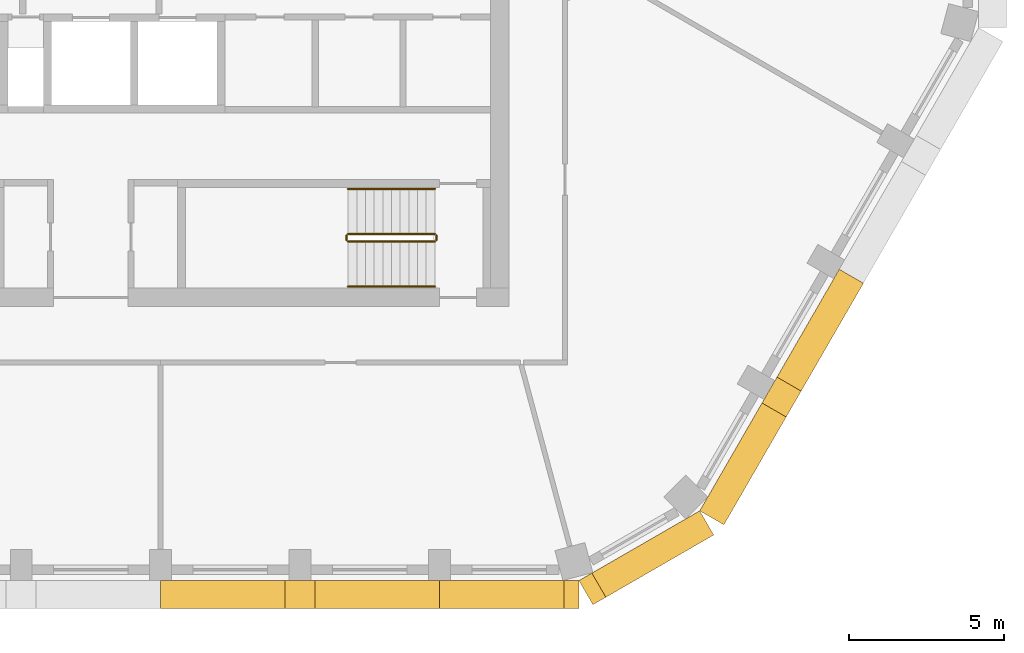
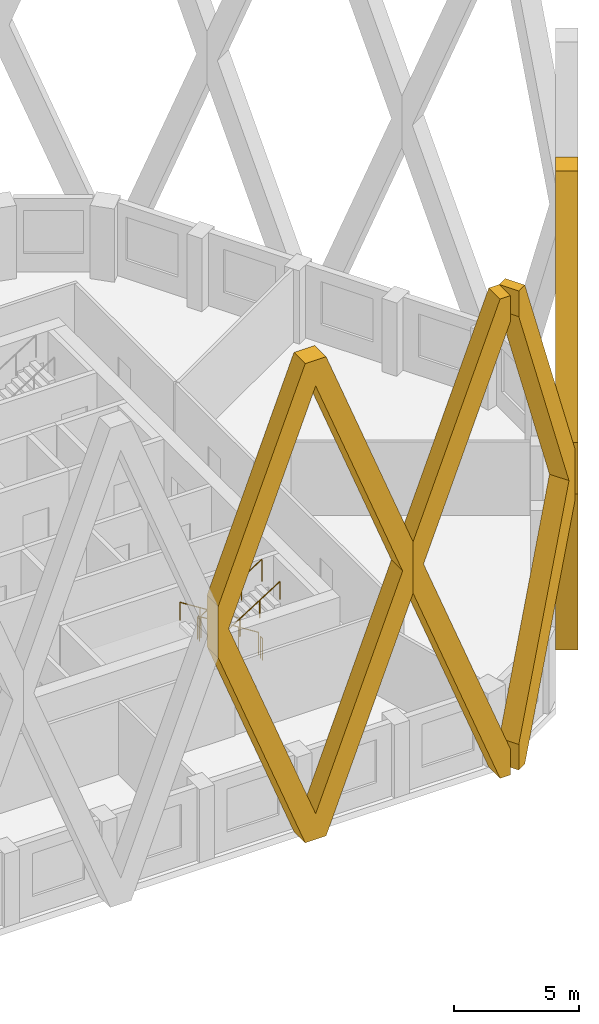
# One storey, part 10 of 13: 6 railings, 4 coverings.
"""IFC4 building model written with IfcOpenShell, lengths in metres."""

from ifc_helpers import new_model, si_unit, direction, frame, origin, origin_2d, place, context, subcontext, project, spatial, polyline, circle, outline, extrude, material, type_object, element, save


model = new_model("IFC4")

# Units and contexts
model_context = context("Model", 3, precision=1e-05, world=origin(), true_north=direction((0.0, 1.0)))
body_context = subcontext(model_context, "Body", "Model", "MODEL_VIEW")
ifc_project = project(units=[si_unit("LENGTHUNIT", "METRE"), si_unit("AREAUNIT", "SQUARE_METRE"), si_unit("VOLUMEUNIT", "CUBIC_METRE"), si_unit("PLANEANGLEUNIT", "RADIAN"), si_unit("MASSUNIT", "GRAM", prefix="KILO")], contexts=[model_context])

# Site, building, storey
site_placement = place(None, origin())
site = spatial("IfcSite", under=ifc_project, at=site_placement, CompositionType="ELEMENT")
building_placement = place(site_placement, origin())
building = spatial("IfcBuilding", under=site, at=building_placement, Name="Dhurran Vertical Campus", CompositionType="ELEMENT")
storey_placement = place(building_placement, frame((0.0, 0.0, 258.60009765625)))
storey = spatial("IfcBuildingStorey", under=building, at=storey_placement, Name="L64", CompositionType="ELEMENT", Elevation=258.60009765625)

# Coverings
ifc_material_1 = material(Name="Precast concrete C50/60", Category="concrete")
covering_type = type_object("IfcCoveringType", Name="Folded precast fin lattice diamond", PredefinedType="USERDEFINED", material=ifc_material_1)
covering_1_placement = place(storey_placement, frame((2.25, -20.08837890625, 0.0), z_axis=(0.0, -1.0, 0.0), x_axis=(1.0, 0.0, 0.0)))
element("IfcCovering", 1, at=covering_1_placement, inside=storey, type_object=covering_type, Name="FN1 L64.003", ObjectType="FIN", PredefinedType="USERDEFINED", context=body_context, shape_type="SweptSolid", body=[
    extrude(outline(polyline([(9.0, 12.95361328125), (9.0, 10.4462890625), (4.982177734375, 0.0), (4.017822265625, 0.0), (0.0, 10.4462890625), (0.0, 12.95361328125), (4.017822265625, 23.39990234375), (4.982177734375, 23.39990234375), (9.0, 12.95361328125)]), holes=[polyline([(8.517822265625, 11.699951171875), (4.5, 22.146484375), (0.482177734375, 11.699951171875), (4.5, 1.253662109375), (8.517822265625, 11.699951171875)])]), origin(), (0.0, 0.0, 1.0), 0.900146484375),
])
covering_2_placement = place(storey_placement, frame((11.25, -20.08837890625, 0.0), z_axis=(0.0, -1.0, 0.0), x_axis=(1.0, 0.0, 0.0)))
element("IfcCovering", 2, at=covering_2_placement, inside=storey, type_object=covering_type, Name="FN1 L64.004", ObjectType="FIN", PredefinedType="USERDEFINED", context=body_context, shape_type="SweptSolid", body=[
    extrude(outline(polyline([(4.017822265625, 0.0), (0.0, 10.4462890625), (0.0, 12.95361328125), (4.017822265625, 23.39990234375), (4.5, 23.39990234375), (4.5, 22.146484375), (0.482177734375, 11.699951171875), (4.5, 1.253662109375), (4.5, 0.0), (4.017822265625, 0.0)])), origin(), (0.0, 0.0, 1.0), 0.900146484375),
])
covering_3_placement = place(storey_placement, frame((15.75, -20.08837890625, 0.0), z_axis=(0.499902469156, -0.866081705922, 0.0), x_axis=(0.866081705922, 0.499902469156, 0.0)))
element("IfcCovering", 3, at=covering_3_placement, inside=storey, type_object=covering_type, Name="FN1 L64.005", ObjectType="FIN", PredefinedType="USERDEFINED", context=body_context, shape_type="SweptSolid", body=[
    extrude(outline(polyline([(4.5, 10.4462890625), (0.482177734375, 0.0), (0.0, 0.0), (0.0, 1.253662109375), (4.017822265625, 11.699951171875), (0.0, 22.146484375), (0.0, 23.39990234375), (0.482177734375, 23.39990234375), (4.5, 12.95361328125), (4.5, 10.4462890625)])), origin(), (0.0, 0.0, 1.0), 0.900146484375),
])
covering_4_placement = place(storey_placement, frame((19.647216796875, -17.83837890625, 0.0), z_axis=(0.865896406789, -0.500223362819, 0.0), x_axis=(0.500223362819, 0.865896406789, 0.0)))
element("IfcCovering", 4, at=covering_4_placement, inside=storey, type_object=covering_type, Name="FN1 L64.006", ObjectType="FIN", PredefinedType="USERDEFINED", context=body_context, shape_type="SweptSolid", body=[
    extrude(outline(polyline([(9.0, 12.95361328125), (9.0, 10.4462890625), (4.982177734375, 0.0), (4.017822265625, 0.0), (0.0, 10.4462890625), (0.0, 12.95361328125), (4.017822265625, 23.39990234375), (4.982177734375, 23.39990234375), (9.0, 12.95361328125)]), holes=[polyline([(8.517822265625, 11.699951171875), (4.5, 22.146484375), (0.482177734375, 11.699951171875), (4.5, 1.253662109375), (8.517822265625, 11.699951171875)])]), origin(), (0.0, 0.0, 1.0), 0.89990234375),
])

# Railings
ifc_material_2 = material(Name="Stainless steel balustrade", Category="steel")
railing_type_1 = type_object("IfcRailingType", Name="co-RL-GUARD-1100", PredefinedType="GUARDRAIL", material=ifc_material_2)
railing_1_placement = place(storey_placement, frame((11.10009765625, -8.89990234375, 0.17724609375)))
element("IfcRailing", 5, at=railing_1_placement, inside=storey, type_object=railing_type_1, Name="L64 ST4 stair guard 1", PredefinedType="GUARDRAIL", context=body_context, shape_type="SweptSolid", body=[
    extrude(circle(Radius=0.02392578125, at=origin_2d()), frame((0.0, 0.0, 1.076171875), z_axis=(-0.844908973607, 0.0, 0.534910110503), x_axis=(0.0, -1.0, 0.0)), (0.0, 0.0, 1.0), 3.31396484375),
    extrude(circle(Radius=0.02099609375, at=origin_2d()), origin(), (0.0, 0.0, 1.0), 1.052001953125),
    extrude(circle(Radius=0.02099609375, at=origin_2d()), frame((-0.933349609375, 0.0, 0.5908203125)), (0.0, 0.0, 1.0), 1.052001953125),
    extrude(circle(Radius=0.02099609375, at=origin_2d()), frame((-1.86669921875, 0.0, 1.181884765625)), (0.0, 0.0, 1.0), 1.052001953125),
    extrude(circle(Radius=0.02099609375, at=origin_2d()), frame((-2.800048828125, 0.0, 1.772705078125)), (0.0, 0.0, 1.0), 1.052001953125),
])
railing_2_placement = place(storey_placement, frame((8.25, -8.949951171875, 1.949951171875)))
element("IfcRailing", 6, at=railing_2_placement, inside=storey, type_object=railing_type_1, Name="L64 ST4 stair guard 2", PredefinedType="GUARDRAIL", context=body_context, shape_type="SweptSolid", body=[
    extrude(circle(Radius=0.02392578125, at=origin_2d()), frame((0.0, 0.0, 1.076171875), z_axis=(0.0, -1.0, 0.0), x_axis=(1.0, 0.0, 0.0)), (0.0, 0.0, 1.0), 0.150146484375),
    extrude(circle(Radius=0.02099609375, at=origin_2d()), origin(), (0.0, 0.0, 1.0), 1.052001953125),
    extrude(circle(Radius=0.02099609375, at=origin_2d()), frame((0.0, -0.150146484375, 0.0)), (0.0, 0.0, 1.0), 1.052001953125),
])
railing_3_placement = place(storey_placement, frame((8.300048828125, -9.14990234375, 2.127197265625)))
element("IfcRailing", 7, at=railing_3_placement, inside=storey, type_object=railing_type_1, Name="L64 ST4 stair guard 3", PredefinedType="GUARDRAIL", context=body_context, shape_type="SweptSolid", body=[
    extrude(circle(Radius=0.02392578125, at=origin_2d()), frame((0.0, 0.0, 1.076171875), z_axis=(0.844908973607, 0.0, 0.534910110503), x_axis=(0.0, 1.0, 0.0)), (0.0, 0.0, 1.0), 3.31396484375),
    extrude(circle(Radius=0.02099609375, at=origin_2d()), origin(), (0.0, 0.0, 1.0), 1.052001953125),
    extrude(circle(Radius=0.02099609375, at=origin_2d()), frame((0.933349609375, 0.0, 0.5908203125)), (0.0, 0.0, 1.0), 1.052001953125),
    extrude(circle(Radius=0.02099609375, at=origin_2d()), frame((1.86669921875, 0.0, 1.181884765625)), (0.0, 0.0, 1.0), 1.052001953125),
    extrude(circle(Radius=0.02099609375, at=origin_2d()), frame((2.800048828125, 0.0, 1.772705078125)), (0.0, 0.0, 1.0), 1.052001953125),
])
railing_4_placement = place(storey_placement, frame((11.14990234375, -8.949951171875, 0.0)))
element("IfcRailing", 8, at=railing_4_placement, inside=storey, type_object=railing_type_1, Name="L64 ST4 stair guard 4", PredefinedType="GUARDRAIL", context=body_context, shape_type="SweptSolid", body=[
    extrude(circle(Radius=0.02392578125, at=origin_2d()), frame((0.0, 0.0, 1.076171875), z_axis=(0.0, -1.0, 0.0), x_axis=(1.0, 0.0, 0.0)), (0.0, 0.0, 1.0), 0.150146484375),
    extrude(circle(Radius=0.02099609375, at=origin_2d()), origin(), (0.0, 0.0, 1.0), 1.052001953125),
    extrude(circle(Radius=0.02099609375, at=origin_2d()), frame((0.0, -0.150146484375, 0.0)), (0.0, 0.0, 1.0), 1.052001953125),
])
ifc_material_3 = material(Name="Stainless steel handrail", Category="steel")
railing_type_2 = type_object("IfcRailingType", Name="co-RL-HANDRAIL-900", PredefinedType="HANDRAIL", material=ifc_material_3)
railing_5_placement = place(storey_placement, frame((11.10009765625, -7.449951171875, 0.17724609375)))
element("IfcRailing", 9, at=railing_5_placement, inside=storey, type_object=railing_type_2, Name="L64 ST4 stair handrail 1", PredefinedType="HANDRAIL", context=body_context, shape_type="SweptSolid", body=[
    extrude(circle(Radius=0.02392578125, at=origin_2d()), frame((0.0, 0.0, 0.8759765625), z_axis=(-0.844908973607, 0.0, 0.534910110503), x_axis=(0.0, -1.0, 0.0)), (0.0, 0.0, 1.0), 3.31396484375),
    extrude(circle(Radius=0.02099609375, at=origin_2d()), origin(), (0.0, 0.0, 1.0), 0.851806640625),
    extrude(circle(Radius=0.02099609375, at=origin_2d()), frame((-0.933349609375, 0.0, 0.5908203125)), (0.0, 0.0, 1.0), 0.851806640625),
    extrude(circle(Radius=0.02099609375, at=origin_2d()), frame((-1.86669921875, 0.0, 1.181884765625)), (0.0, 0.0, 1.0), 0.851806640625),
    extrude(circle(Radius=0.02099609375, at=origin_2d()), frame((-2.800048828125, 0.0, 1.772705078125)), (0.0, 0.0, 1.0), 0.851806640625),
])
railing_6_placement = place(storey_placement, frame((8.300048828125, -10.60009765625, 2.127197265625)))
element("IfcRailing", 10, at=railing_6_placement, inside=storey, type_object=railing_type_2, Name="L64 ST4 stair handrail 2", PredefinedType="HANDRAIL", context=body_context, shape_type="SweptSolid", body=[
    extrude(circle(Radius=0.02392578125, at=origin_2d()), frame((0.0, 0.0, 0.8759765625), z_axis=(0.844908973607, 0.0, 0.534910110503), x_axis=(0.0, 1.0, 0.0)), (0.0, 0.0, 1.0), 3.31396484375),
    extrude(circle(Radius=0.02099609375, at=origin_2d()), origin(), (0.0, 0.0, 1.0), 0.851806640625),
    extrude(circle(Radius=0.02099609375, at=origin_2d()), frame((0.933349609375, 0.0, 0.5908203125)), (0.0, 0.0, 1.0), 0.851806640625),
    extrude(circle(Radius=0.02099609375, at=origin_2d()), frame((1.86669921875, 0.0, 1.181884765625)), (0.0, 0.0, 1.0), 0.851806640625),
    extrude(circle(Radius=0.02099609375, at=origin_2d()), frame((2.800048828125, 0.0, 1.772705078125)), (0.0, 0.0, 1.0), 0.851806640625),
])

save(model, "model.ifc")
